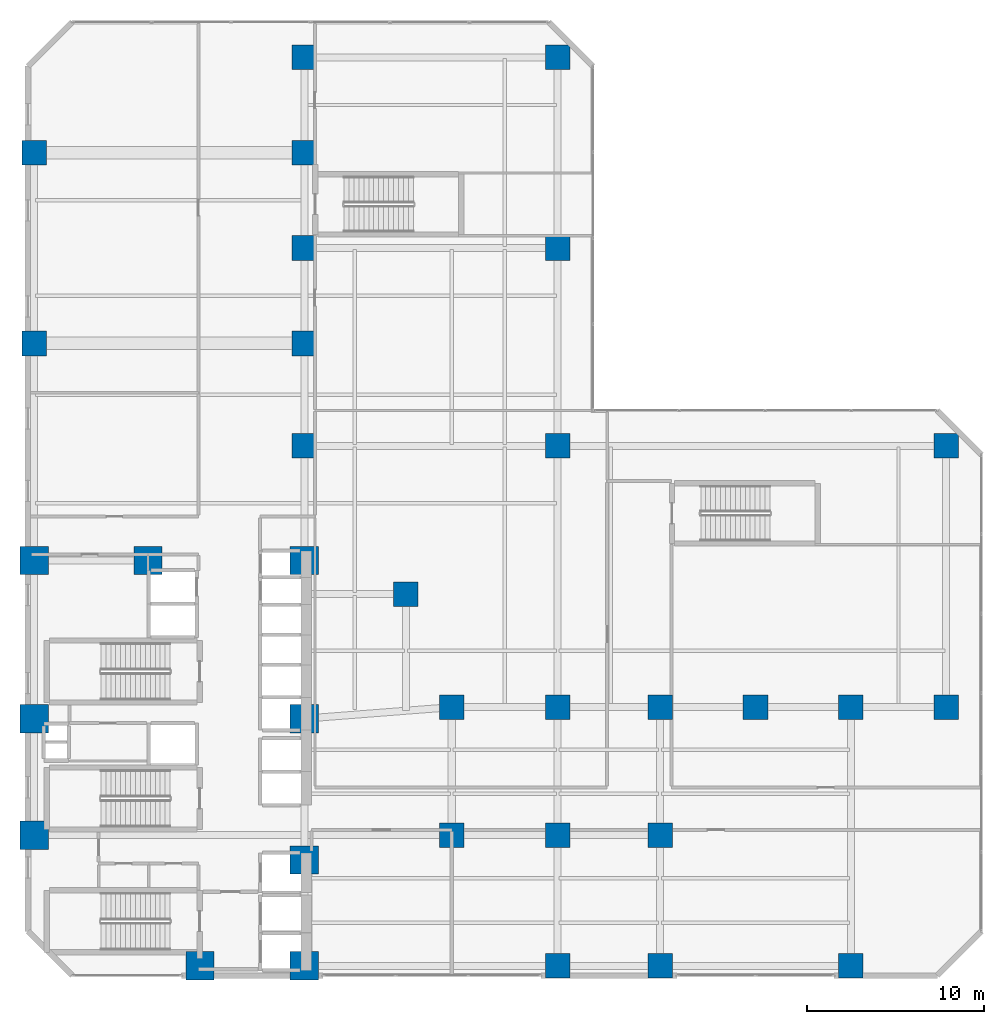
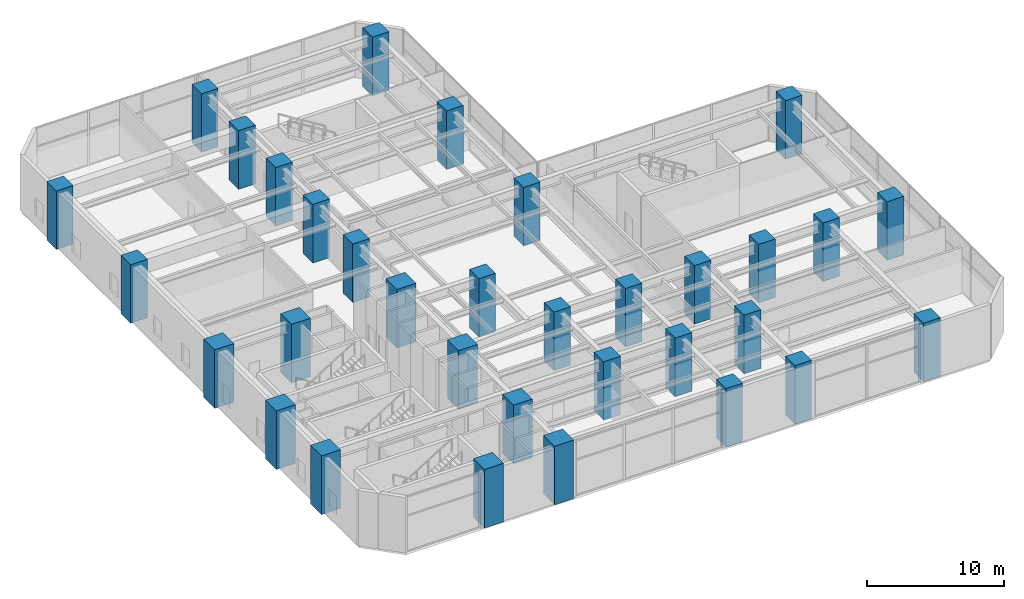
# One storey, part 1 of 29: 33 columns.
"""IFC4 building model written with IfcOpenShell, lengths in metres."""

from ifc_helpers import new_model, si_unit, direction, frame, origin, origin_2d, place, context, subcontext, project, spatial, rectangle, extrude, material, material_profile, profile_set, type_object, element, save


model = new_model("IFC4")

# Units and contexts
model_context = context("Model", 3, precision=1e-05, world=origin(), true_north=direction((0.0, 1.0)))
body_context = subcontext(model_context, "Body", "Model", "MODEL_VIEW")
ifc_project = project(units=[si_unit("LENGTHUNIT", "METRE"), si_unit("AREAUNIT", "SQUARE_METRE"), si_unit("VOLUMEUNIT", "CUBIC_METRE"), si_unit("PLANEANGLEUNIT", "RADIAN"), si_unit("MASSUNIT", "GRAM", prefix="KILO")], contexts=[model_context])

# Site, building, storey
site_placement = place(None, origin())
site = spatial("IfcSite", under=ifc_project, at=site_placement, CompositionType="ELEMENT")
building_placement = place(site_placement, origin())
building = spatial("IfcBuilding", under=site, at=building_placement, Name="Mawjaban Terraces University", CompositionType="ELEMENT")
storey_placement = place(building_placement, frame((0.0, 0.0, 15.60009765625)))
storey = spatial("IfcBuildingStorey", under=building, at=storey_placement, Name="L03", CompositionType="ELEMENT", Elevation=15.60009765625)

# Columns
ifc_material = material(Name="Concrete C70/85", Category="concrete")
ifc_material_profile_1 = material_profile(ifc_material, rectangle(XDim=1.39990234375, YDim=1.39990234375, at=origin_2d()), Name="RC1400X1400")
ifc_profile_set_1 = profile_set([ifc_material_profile_1], Name="Concrete C70/85")
column_type_1 = type_object("IfcColumnType", Name="Col_RC1400X1400", PredefinedType="COLUMN", material=ifc_profile_set_1)
for number, where, z_axis, x_axis, name in (
    (1, (46.0, 7.949951171875, 0.0), (0.0, 0.0, 1.0), (1.0, 0.0, 0.0), "L03 Column TE-460-080"),
    (2, (46.0, 15.199951171875, 0.0), (0.0, 0.0, 1.0), (1.0, 0.0, 0.0), "L03 Column TE-460-152"),
    (3, (52.0, 0.550048828125, 0.0), (0.0, 0.0, 1.0), (1.0, 0.0, 0.0), "L03 Column TE-520-005"),
    (4, (52.0, 7.949951171875, 0.0), (0.0, 0.0, 1.0), (1.0, 0.0, 0.0), "L03 Column TE-520-080"),
    (5, (52.0, 15.199951171875, 0.0), (0.0, 0.0, 1.0), (1.0, 0.0, 0.0), "L03 Column TE-520-152"),
    (6, (57.800048828125, 0.550048828125, 0.0), (0.0, 0.0, 1.0), (1.0, 0.0, 0.0), "L03 Column TE-578-005"),
    (7, (57.800048828125, 7.949951171875, 0.0), (0.0, 0.0, 1.0), (1.0, 0.0, 0.0), "L03 Column TE-578-080"),
    (8, (57.800048828125, 15.199951171875, 0.0), (0.0, 0.0, 1.0), (1.0, 0.0, 0.0), "L03 Column TE-578-152"),
    (9, (63.199951171875, 15.199951171875, 0.0), (0.0, 0.0, 1.0), (1.0, 0.0, 0.0), "L03 Column TE-632-152"),
    (10, (68.60009765625, 0.550048828125, 0.0), (0.0, 0.0, 1.0), (1.0, 0.0, 0.0), "L03 Column TE-686-005"),
    (11, (68.60009765625, 15.199951171875, 0.0), (0.0, 0.0, 1.0), (1.0, 0.0, 0.0), "L03 Column TE-686-152"),
    (12, (74.0, 15.199951171875, 0.0), (0.0, 0.0, 1.0), (1.0, 0.0, 0.0), "L03 Column TE-740-152"),
    (13, (37.64990234375, 30.0, 0.0), (0.0, 0.0, 1.0), (1.0, 0.0, 0.0), "L03 Column TN-376-300"),
    (14, (22.35009765625, 35.800048828125, 0.0), (0.0, 0.0, 1.0), (1.0, 0.0, 0.0), "L03 Column TN-223-358"),
    (15, (37.64990234375, 35.800048828125, 0.0), (0.0, 0.0, 1.0), (1.0, 0.0, 0.0), "L03 Column TN-376-358"),
    (16, (37.64990234375, 41.199951171875, 0.0), (0.0, 0.0, 1.0), (1.0, 0.0, 0.0), "L03 Column TN-376-412"),
    (17, (22.35009765625, 46.60009765625, 0.0), (0.0, 0.0, 1.0), (1.0, 0.0, 0.0), "L03 Column TN-223-466"),
    (18, (37.64990234375, 46.60009765625, 0.0), (0.0, 0.0, 1.0), (1.0, 0.0, 0.0), "L03 Column TN-376-466"),
    (19, (37.64990234375, 52.0, 0.0), (0.0, 0.0, 1.0), (1.0, 0.0, 0.0), "L03 Column TN-376-520"),
    (20, (43.39990234375, 21.60009765625, 0.0), (0.0, 0.0, 1.0), (1.0, 0.0, 0.0), "L03 Column TS-434-216"),
    (21, (52.0, 30.0, 0.0), (0.0, 0.0, 1.0), (1.0, 0.0, 0.0), "L03 Column PM-520-300"),
    (22, (74.0, 30.0, 0.0), (0.0, 0.0, 1.0), (1.0, 0.0, 0.0), "L03 Column PM-740-300"),
    (23, (52.0, 41.199951171875, 0.0), (0.0, 0.0, 1.0), (1.0, 0.0, 0.0), "L03 Column PM-520-412"),
    (24, (52.0, 52.0, 0.0), (0.0, 0.0, 1.0), (1.0, 0.0, 0.0), "L03 Column PM-520-520"),
):
    element("IfcColumn", number, at=place(storey_placement, frame(where, z_axis=z_axis, x_axis=x_axis)), inside=storey, type_object=column_type_1, Name=name, PredefinedType="COLUMN", context=body_context, shape_type="SweptSolid", body=[
        extrude(rectangle(XDim=1.39990234375, YDim=1.39990234375, at=origin_2d()), origin(), (0.0, 0.0, 1.0), 5.199951171875),
    ])
ifc_material_profile_2 = material_profile(ifc_material, rectangle(XDim=1.60009765625, YDim=1.60009765625, at=origin_2d()), Name="RC1600X1600")
ifc_profile_set_2 = profile_set([ifc_material_profile_2], Name="Concrete C70/85")
column_type_2 = type_object("IfcColumnType", Name="Col_RC1600X1600", PredefinedType="COLUMN", material=ifc_profile_set_2)
for number, where, z_axis, x_axis, name in (
    (25, (31.75, 0.550048828125, 0.0), (0.0, 0.0, 1.0), (1.0, 0.0, 0.0), "L03 Column CC2"),
    (26, (37.64990234375, 0.550048828125, 0.0), (0.0, 0.0, 1.0), (1.0, 0.0, 0.0), "L03 Column CC3"),
    (27, (22.35009765625, 7.949951171875, 0.0), (0.0, 0.0, 1.0), (1.0, 0.0, 0.0), "L03 Column CC4"),
    (28, (37.64990234375, 6.550048828125, 0.0), (0.0, 0.0, 1.0), (1.0, 0.0, 0.0), "L03 Column CC5"),
    (29, (22.35009765625, 14.550048828125, 0.0), (0.0, 0.0, 1.0), (1.0, 0.0, 0.0), "L03 Column CC6"),
    (30, (37.64990234375, 14.550048828125, 0.0), (0.0, 0.0, 1.0), (1.0, 0.0, 0.0), "L03 Column CC7"),
    (31, (22.35009765625, 23.5, 0.0), (0.0, 0.0, 1.0), (1.0, 0.0, 0.0), "L03 Column CC8"),
    (32, (28.800048828125, 23.5, 0.0), (0.0, 0.0, 1.0), (1.0, 0.0, 0.0), "L03 Column CC9"),
    (33, (37.64990234375, 23.5, 0.0), (0.0, 0.0, 1.0), (1.0, 0.0, 0.0), "L03 Column CC10"),
):
    element("IfcColumn", number, at=place(storey_placement, frame(where, z_axis=z_axis, x_axis=x_axis)), inside=storey, type_object=column_type_2, Name=name, PredefinedType="COLUMN", context=body_context, shape_type="SweptSolid", body=[
        extrude(rectangle(XDim=1.60009765625, YDim=1.60009765625, at=origin_2d()), origin(), (0.0, 0.0, 1.0), 5.199951171875),
    ])

save(model, "model.ifc")
